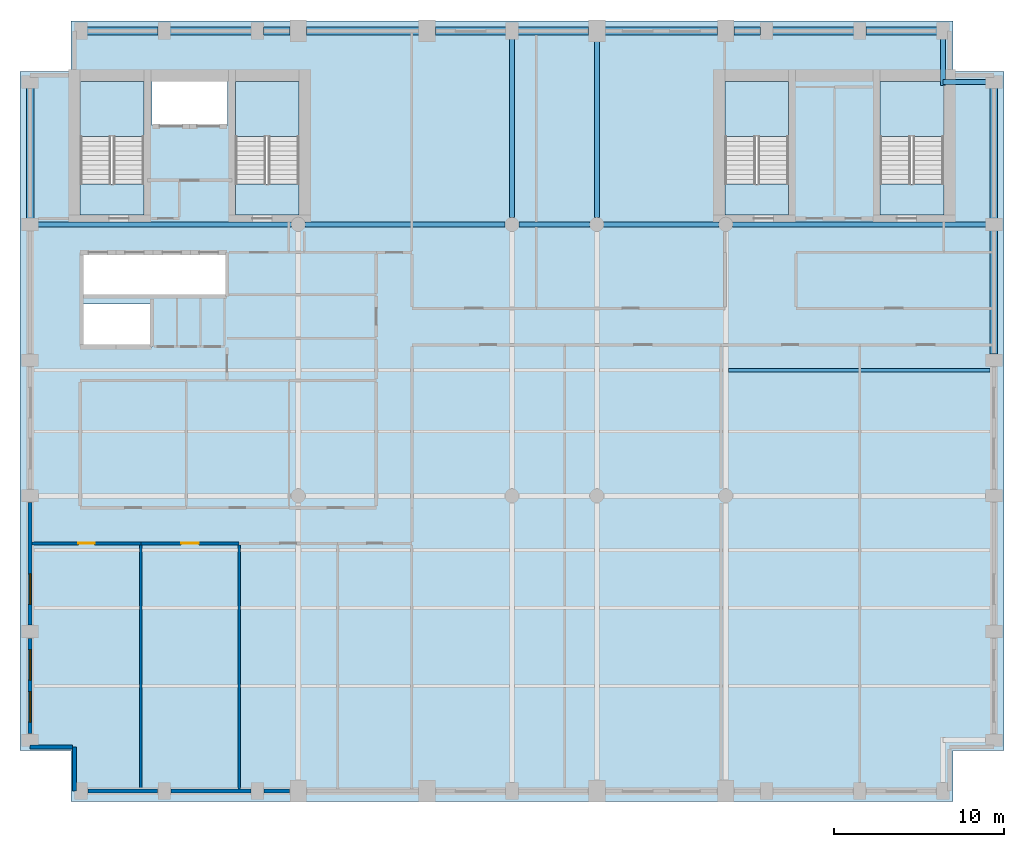
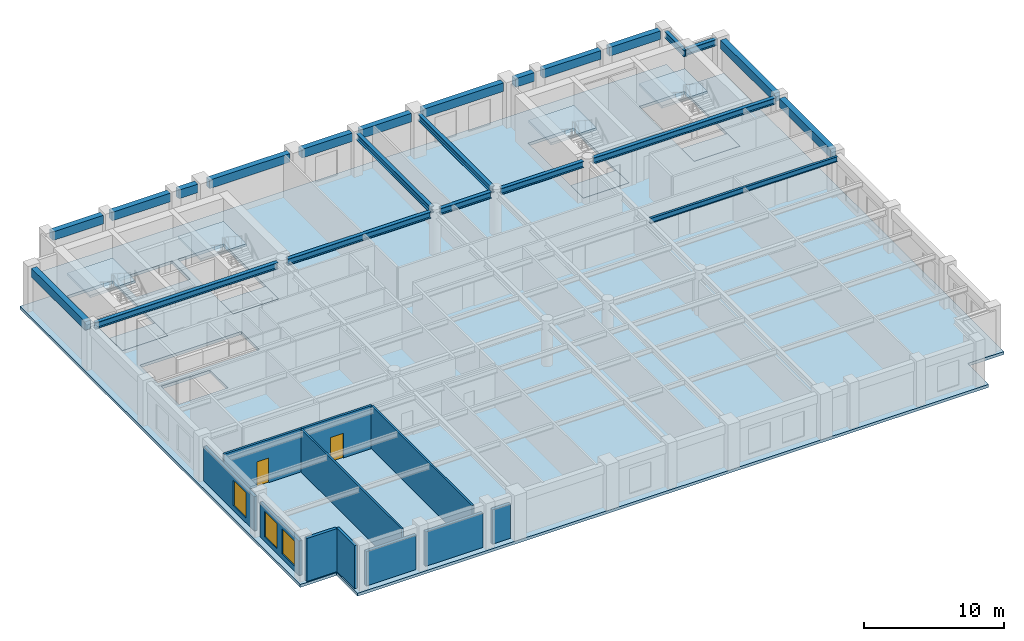
# One storey, part 2 of 8: 23 beams, 11 walls, 9 slabs, 3 windows, 2 doors, 5 openings, 4 elements without a shape of their own.
"""IFC4 building model written with IfcOpenShell, lengths in metres."""

import ifcopenshell
import ifcopenshell.guid

model = None  # the IFC model being written
_history = None  # IfcOwnerHistory: only IFC2X3 demands one
_inside = {}  # id of a spatial element -> (the spatial element, [elements in it])
_under = {}  # id of a project, library or spatial element -> (it, [spatial elements below it])
_declared = {}  # id of a project -> (the project, [libraries it declares])
_typed = {}  # id of a type object -> (the type object, [elements of that type])
_made_of = {}  # id of a material, layer set ... -> (it, [elements and type objects made of it])


def new_model(schema):
    """Start an empty IFC model of exactly this schema.

    Asked for "IFC4X3", IfcOpenShell would pick the latest addendum, in which some entities
    have other attributes; the version numbers below select the first issue.
    IFC2X3 requires an IfcOwnerHistory on every rooted entity: one is made here for all.
    """
    global model, _history
    if schema == "IFC4X3":
        model = ifcopenshell.file(schema_version=(4, 3, 0, 0))
    else:
        model = ifcopenshell.file(schema=schema)
    _inside.clear()
    _under.clear()
    _declared.clear()
    _typed.clear()
    _made_of.clear()
    _history = None
    if model.schema == "IFC2X3":
        org = make("IfcOrganization", Name="unknown")
        user = make(
            "IfcPersonAndOrganization",
            ThePerson=make("IfcPerson", FamilyName="unknown"),
            TheOrganization=org,
        )
        app = make(
            "IfcApplication",
            ApplicationDeveloper=org,
            Version="unknown",
            ApplicationFullName="unknown",
            ApplicationIdentifier="unknown",
        )
        _history = make(
            "IfcOwnerHistory",
            OwningUser=user,
            OwningApplication=app,
            ChangeAction="ADDED",
            CreationDate=0,
        )
    return model


def make(cls, **values):
    """One entity of the class cls with the attributes given. An attribute that is None is left unset."""
    return model.create_entity(
        cls, **{name: value for name, value in values.items() if value is not None}
    )


def rooted(cls, **values):
    """An entity with a GlobalId (a new one), such as an element, a storey or a relation."""
    return make(cls, GlobalId=ifcopenshell.guid.new(), OwnerHistory=_history, **values)


def si_unit(unit_type, name, prefix=None):
    """IfcSIUnit, for example si_unit("LENGTHUNIT", "METRE", prefix="MILLI")."""
    return make("IfcSIUnit", UnitType=unit_type, Prefix=prefix, Name=name)


def assignment(units):
    """IfcUnitAssignment: the units of a project."""
    return None if units is None else make("IfcUnitAssignment", Units=units)


def point(xyz):
    """IfcCartesianPoint."""
    return None if xyz is None else make("IfcCartesianPoint", Coordinates=xyz)


def direction(xyz):
    """IfcDirection."""
    return None if xyz is None else make("IfcDirection", DirectionRatios=xyz)


def frame(location, z_axis=None, x_axis=None):
    """IfcAxis2Placement3D, a coordinate frame: its origin and axes. An axis left out is left unset."""
    return make(
        "IfcAxis2Placement3D",
        Location=point(location),
        Axis=direction(z_axis),
        RefDirection=direction(x_axis),
    )


def frame_2d(location, x_axis=None):
    """IfcAxis2Placement2D, a coordinate frame in the plane: its origin and x axis."""
    return make(
        "IfcAxis2Placement2D", Location=point(location), RefDirection=direction(x_axis)
    )


def origin():
    """The frame at (0, 0, 0) with its axes left unset."""
    return frame((0.0, 0.0, 0.0))


def origin_2d():
    """The frame at (0, 0) in the plane with its x axis left unset."""
    return frame_2d((0.0, 0.0))


def place(relative_to, where):
    """IfcLocalPlacement: puts the frame where relative to a parent placement (None: the world)."""
    return make(
        "IfcLocalPlacement", PlacementRelTo=relative_to, RelativePlacement=where
    )


def context(
    kind, dimensions, precision=None, world=None, true_north=None, identifier=None
):
    """IfcGeometricRepresentationContext, for example the 3D "Model" context."""
    return make(
        "IfcGeometricRepresentationContext",
        ContextIdentifier=identifier,
        ContextType=kind,
        CoordinateSpaceDimension=dimensions,
        Precision=precision,
        WorldCoordinateSystem=world,
        TrueNorth=true_north,
    )


def subcontext(parent, identifier, kind, view, scale=None):
    """IfcGeometricRepresentationSubContext, for example "Body" below "Model"."""
    return make(
        "IfcGeometricRepresentationSubContext",
        ContextIdentifier=identifier,
        ContextType=kind,
        ParentContext=parent,
        TargetScale=scale,
        TargetView=view,
    )


def project(units=None, contexts=None):
    """IfcProject with its units and contexts."""
    return rooted(
        "IfcProject",
        Name="project",
        RepresentationContexts=contexts,
        UnitsInContext=assignment(units),
    )


def spatial(cls, under=None, at=None, **own):
    """A site, building, storey or space (cls), placed at a placement, below another one or the project."""
    s = rooted(cls, ObjectPlacement=at, **own)
    if under is not None:
        _under.setdefault(under.id(), (under, []))[1].append(s)
    return s


def polyline(points):
    """IfcPolyline through the points."""
    return make("IfcPolyline", Points=[point(p) for p in points])


def profile(cls, at=None, kind="AREA", **sizes):
    """A parametric profile (cls). Its sizes go by their IFC names, for example OverallWidth=200.0."""
    return make(cls, ProfileType=kind, Position=at, **sizes)


def rectangle(**sizes):
    """IfcRectangleProfileDef."""
    return profile("IfcRectangleProfileDef", **sizes)


def i_section(**sizes):
    """IfcIShapeProfileDef."""
    return profile("IfcIShapeProfileDef", **sizes)


def outline(outer, holes=None, kind="AREA"):
    """IfcArbitraryClosedProfileDef: a profile drawn as a closed curve; with holes, ...WithVoids."""
    if holes is None:
        return make("IfcArbitraryClosedProfileDef", ProfileType=kind, OuterCurve=outer)
    return make(
        "IfcArbitraryProfileDefWithVoids",
        ProfileType=kind,
        OuterCurve=outer,
        InnerCurves=holes,
    )


def extrude(swept, where, along, depth):
    """IfcExtrudedAreaSolid: the profile swept, set in the frame where, extruded along a direction by depth."""
    return make(
        "IfcExtrudedAreaSolid",
        SweptArea=swept,
        Position=where,
        ExtrudedDirection=direction(along),
        Depth=depth,
    )


def shape(context_of_items, identifier, shape_type, items):
    """IfcShapeRepresentation: the items that make up one representation, for example the "Body"."""
    return make(
        "IfcShapeRepresentation",
        ContextOfItems=context_of_items,
        RepresentationIdentifier=identifier,
        RepresentationType=shape_type,
        Items=items,
    )


def material(Name=None, Category=None):
    """IfcMaterial."""
    return make("IfcMaterial", Name=Name, Category=Category)


def layer(
    of_material, thickness, ventilated=None, Name=None, Category=None, Priority=None
):
    """IfcMaterialLayer: one layer of a wall or slab, of a material (None: an air gap)."""
    return make(
        "IfcMaterialLayer",
        Material=of_material,
        LayerThickness=thickness,
        IsVentilated=ventilated,
        Name=Name,
        Category=Category,
        Priority=Priority,
    )


def layer_set(layers, Name=None):
    """IfcMaterialLayerSet."""
    return make("IfcMaterialLayerSet", MaterialLayers=layers, LayerSetName=Name)


def material_profile(
    of_material, cross_section, Name=None, Category=None, Priority=None
):
    """IfcMaterialProfile: a cross section and its material."""
    return make(
        "IfcMaterialProfile",
        Name=Name,
        Material=of_material,
        Profile=cross_section,
        Priority=Priority,
        Category=Category,
    )


def profile_set(profiles, Name=None, composite=None):
    """IfcMaterialProfileSet."""
    return make(
        "IfcMaterialProfileSet",
        Name=Name,
        MaterialProfiles=profiles,
        CompositeProfile=composite,
    )


def made_of(thing, what):
    """Note that an element or type object is made of a material, layer set ...; save() writes the relation."""
    if what is not None:
        _made_of.setdefault(what.id(), (what, []))[1].append(thing)
    return thing


def type_object(cls, material=None, **own):
    """A type object (cls), such as IfcWallType, which elements share."""
    return made_of(rooted(cls, **own), material)


def element(
    cls,
    number,
    at=None,
    inside=None,
    cuts=None,
    type_object=None,
    material=None,
    context=None,
    identifier="Body",
    shape_type=None,
    held_by="IfcProductDefinitionShape",
    body=None,
    shapes=None,
    **own,
):
    """One element of the class cls, such as IfcWall. Its Tag is "e" and its number.

    at: its placement. inside: the storey or other place that contains it. cuts: it is an
    opening in that element (IfcRelVoidsElement). A single representation is given by context,
    identifier, shape_type and body (its items); several are given by shapes. held_by: the class
    of the entity that holds the representations. save() writes the other relations.
    """
    e = rooted(cls, Tag="e%d" % number, ObjectPlacement=at, **own)
    if body is not None:
        shapes = [shape(context, identifier, shape_type, body)]
    if shapes is not None:
        e.Representation = make(held_by, Representations=shapes)
    if inside is not None:
        _inside.setdefault(inside.id(), (inside, []))[1].append(e)
    if cuts is not None:
        rooted(
            "IfcRelVoidsElement", RelatingBuildingElement=cuts, RelatedOpeningElement=e
        )
    if type_object is not None:
        _typed.setdefault(type_object.id(), (type_object, []))[1].append(e)
    return made_of(e, material)


def fill(opening, filler):
    """IfcRelFillsElement: the door or window that sits in an opening."""
    return rooted(
        "IfcRelFillsElement",
        RelatingOpeningElement=opening,
        RelatedBuildingElement=filler,
    )


def aggregate(whole, parts):
    """IfcRelAggregates: a whole, such as a stair, and the parts it consists of."""
    return rooted("IfcRelAggregates", RelatingObject=whole, RelatedObjects=parts)


def save(model, path):
    """Write the relations noted so far, then the file.

    IfcRelAggregates (storeys below a building ...), IfcRelContainedInSpatialStructure (elements
    in a storey), IfcRelDefinesByType, IfcRelAssociatesMaterial and IfcRelDeclares: one each for
    every whole, place, type object, material and project.
    """
    for whole, parts in _under.values():
        aggregate(whole, parts)
    for where, things in _inside.values():
        rooted(
            "IfcRelContainedInSpatialStructure",
            RelatedElements=things,
            RelatingStructure=where,
        )
    for kind, things in _typed.values():
        rooted("IfcRelDefinesByType", RelatedObjects=things, RelatingType=kind)
    for what, things in _made_of.values():
        rooted("IfcRelAssociatesMaterial", RelatedObjects=things, RelatingMaterial=what)
    for by, libraries in _declared.values():
        rooted("IfcRelDeclares", RelatingContext=by, RelatedDefinitions=libraries)
    model.write(path)


model = new_model("IFC4")

# Units and contexts
model_context = context("Model", 3, precision=1e-05, world=origin(), true_north=direction((0.0, 1.0)))
body_context = subcontext(model_context, "Body", "Model", "MODEL_VIEW")
ifc_project = project(units=[si_unit("LENGTHUNIT", "METRE"), si_unit("AREAUNIT", "SQUARE_METRE"), si_unit("VOLUMEUNIT", "CUBIC_METRE"), si_unit("PLANEANGLEUNIT", "RADIAN"), si_unit("MASSUNIT", "GRAM", prefix="KILO")], contexts=[model_context])

# Site, building, storey
site_placement = place(None, origin())
site = spatial("IfcSite", under=ifc_project, at=site_placement, CompositionType="ELEMENT")
building_placement = place(site_placement, origin())
building = spatial("IfcBuilding", under=site, at=building_placement, Name="Sulina Concourse Tower", CompositionType="ELEMENT")
storey_placement = place(building_placement, frame((0.0, 0.0, 256.60009765625)))
storey = spatial("IfcBuildingStorey", under=building, at=storey_placement, Name="L62", CompositionType="ELEMENT", Elevation=256.60009765625)

# Beams
ifc_material_1 = material(Name="Steel S355", Category="steel")
ifc_material_profile_1 = material_profile(ifc_material_1, i_section(OverallWidth=0.18994140625, OverallDepth=0.449951171875, WebThickness=0.009521484375, FlangeThickness=0.0146484375, at=origin_2d()), Name="IPE 450")
ifc_profile_set_1 = profile_set([ifc_material_profile_1], Name="Steel S355")
beam_type_1 = type_object("IfcBeamType", Name="Composite Floor Joist IPE450", PredefinedType="JOIST", material=ifc_profile_set_1)
beam_1_placement = place(storey_placement, frame((41.75, 25.39990234375, 3.52490234375), z_axis=(1.0, 0.0, 0.0), x_axis=(0.0, 1.0, 0.0)))
element("IfcBeam", 1, at=beam_1_placement, inside=storey, type_object=beam_type_1, Name="FJ-J25-5-L62", PredefinedType="JOIST", context=body_context, shape_type="SweptSolid", body=[
    extrude(i_section(OverallWidth=0.18994140625, OverallDepth=0.449951171875, WebThickness=0.009521484375, FlangeThickness=0.0146484375, at=origin_2d()), origin(), (0.0, 0.0, 1.0), 15.425048828125),
])
ifc_material_2 = material(Name="Steel S355", Category="steel")
ifc_material_profile_2 = material_profile(ifc_material_2, i_section(OverallWidth=0.300048828125, OverallDepth=0.550048828125, WebThickness=0.014892578125, FlangeThickness=0.029052734375, at=origin_2d()), Name="HE 550 B")
ifc_profile_set_2 = profile_set([ifc_material_profile_2], Name="Steel S355")
beam_type_2 = type_object("IfcBeamType", Name="Floor Primary Girder Zone 4 HE550B", PredefinedType="BEAM", material=ifc_profile_set_2)
beam_2_placement = place(storey_placement, frame((54.39990234375, 42.39990234375, 3.474853515625), z_axis=(1.0, 0.0, 0.0), x_axis=(0.0, 1.0, 0.0)))
element("IfcBeam", 2, at=beam_2_placement, inside=storey, type_object=beam_type_2, Name="TIE-NE-L62", PredefinedType="BEAM", context=body_context, shape_type="SweptSolid", body=[
    extrude(i_section(OverallWidth=0.300048828125, OverallDepth=0.550048828125, WebThickness=0.014892578125, FlangeThickness=0.029052734375, at=origin_2d()), origin(), (0.0, 0.0, 1.0), 2.64501953125),
])
beam_3_placement = place(storey_placement, frame((54.39990234375, 42.199951171875, 3.474853515625), z_axis=(0.0, 1.0, 0.0), x_axis=(-1.0, 0.0, 0.0)))
element("IfcBeam", 3, at=beam_3_placement, inside=storey, type_object=beam_type_2, Name="TIE-NEN-L62", PredefinedType="BEAM", context=body_context, shape_type="SweptSolid", body=[
    extrude(i_section(OverallWidth=0.300048828125, OverallDepth=0.550048828125, WebThickness=0.014892578125, FlangeThickness=0.029052734375, at=origin_2d()), origin(), (0.0, 0.0, 1.0), 2.844970703125),
])
beam_4_placement = place(storey_placement, frame((0.955078125, 34.0, 3.474853515625), z_axis=(1.0, 0.0, 0.0), x_axis=(0.0, 1.0, 0.0)))
element("IfcBeam", 4, at=beam_4_placement, inside=storey, type_object=beam_type_2, Name="FG-EWN1-L62", PredefinedType="BEAM", context=body_context, shape_type="SweptSolid", body=[
    extrude(i_section(OverallWidth=0.300048828125, OverallDepth=0.550048828125, WebThickness=0.014892578125, FlangeThickness=0.029052734375, at=origin_2d()), origin(), (0.0, 0.0, 1.0), 15.0400390625),
])
beam_5_placement = place(storey_placement, frame((16.804931640625, 34.0, 3.474853515625), z_axis=(1.0, 0.0, 0.0), x_axis=(0.0, 1.0, 0.0)))
element("IfcBeam", 5, at=beam_5_placement, inside=storey, type_object=beam_type_2, Name="FG-EWN2-L62", PredefinedType="BEAM", context=body_context, shape_type="SweptSolid", body=[
    extrude(i_section(OverallWidth=0.300048828125, OverallDepth=0.550048828125, WebThickness=0.014892578125, FlangeThickness=0.029052734375, at=origin_2d()), origin(), (0.0, 0.0, 1.0), 11.7900390625),
])
beam_6_placement = place(storey_placement, frame((29.405029296875, 34.0, 3.474853515625), z_axis=(1.0, 0.0, 0.0), x_axis=(0.0, 1.0, 0.0)))
element("IfcBeam", 6, at=beam_6_placement, inside=storey, type_object=beam_type_2, Name="FG-EWN3-L62", PredefinedType="BEAM", context=body_context, shape_type="SweptSolid", body=[
    extrude(i_section(OverallWidth=0.300048828125, OverallDepth=0.550048828125, WebThickness=0.014892578125, FlangeThickness=0.029052734375, at=origin_2d()), origin(), (0.0, 0.0, 1.0), 4.18994140625),
])
beam_7_placement = place(storey_placement, frame((34.405029296875, 34.0, 3.474853515625), z_axis=(1.0, 0.0, 0.0), x_axis=(0.0, 1.0, 0.0)))
element("IfcBeam", 7, at=beam_7_placement, inside=storey, type_object=beam_type_2, Name="FG-EWN4-L62", PredefinedType="BEAM", context=body_context, shape_type="SweptSolid", body=[
    extrude(i_section(OverallWidth=0.300048828125, OverallDepth=0.550048828125, WebThickness=0.014892578125, FlangeThickness=0.029052734375, at=origin_2d()), origin(), (0.0, 0.0, 1.0), 6.7900390625),
])
beam_8_placement = place(storey_placement, frame((42.0048828125, 34.0, 3.474853515625), z_axis=(1.0, 0.0, 0.0), x_axis=(0.0, 1.0, 0.0)))
element("IfcBeam", 8, at=beam_8_placement, inside=storey, type_object=beam_type_2, Name="FG-EWN5-L62", PredefinedType="BEAM", context=body_context, shape_type="SweptSolid", body=[
    extrude(i_section(OverallWidth=0.300048828125, OverallDepth=0.550048828125, WebThickness=0.014892578125, FlangeThickness=0.029052734375, at=origin_2d()), origin(), (0.0, 0.0, 1.0), 15.0400390625),
])
beam_9_placement = place(storey_placement, frame((29.0, 34.405029296875, 3.474853515625), z_axis=(0.0, 1.0, 0.0), x_axis=(-1.0, 0.0, 0.0)))
element("IfcBeam", 9, at=beam_9_placement, inside=storey, type_object=beam_type_2, Name="FG-NSC-29-L62", PredefinedType="BEAM", context=body_context, shape_type="SweptSolid", body=[
    extrude(i_section(OverallWidth=0.300048828125, OverallDepth=0.550048828125, WebThickness=0.014892578125, FlangeThickness=0.029052734375, at=origin_2d()), origin(), (0.0, 0.0, 1.0), 10.639892578125),
])
beam_10_placement = place(storey_placement, frame((34.0, 34.405029296875, 3.474853515625), z_axis=(0.0, 1.0, 0.0), x_axis=(-1.0, 0.0, 0.0)))
element("IfcBeam", 10, at=beam_10_placement, inside=storey, type_object=beam_type_2, Name="FG-NSC-34-L62", PredefinedType="BEAM", context=body_context, shape_type="SweptSolid", body=[
    extrude(i_section(OverallWidth=0.300048828125, OverallDepth=0.550048828125, WebThickness=0.014892578125, FlangeThickness=0.029052734375, at=origin_2d()), origin(), (0.0, 0.0, 1.0), 10.514892578125),
])
ifc_material_3 = material(Name="Precast concrete C50/60", Category="concrete")
ifc_material_profile_3 = material_profile(ifc_material_3, rectangle(XDim=0.449951171875, YDim=0.75, at=origin_2d()), Name="RC 450x750")
ifc_profile_set_3 = profile_set([ifc_material_profile_3], Name="Precast concrete C50/60")
beam_type_3 = type_object("IfcBeamType", Name="Upper Precast Spandrel Edge Beam 450x750", PredefinedType="BEAM", material=ifc_profile_set_3)
beam_11_placement = place(storey_placement, frame((3.955078125, 45.39990234375, 3.375), z_axis=(1.0, 0.0, 0.0), x_axis=(0.0, 1.0, 0.0)))
element("IfcBeam", 11, at=beam_11_placement, inside=storey, type_object=beam_type_3, Name="SP-N1-L62", PredefinedType="BEAM", context=body_context, shape_type="SweptSolid", body=[
    extrude(rectangle(XDim=0.449951171875, YDim=0.75, at=origin_2d()), origin(), (0.0, 0.0, 1.0), 4.18994140625),
])
beam_12_placement = place(storey_placement, frame((8.85498046875, 45.39990234375, 3.375), z_axis=(1.0, 0.0, 0.0), x_axis=(0.0, 1.0, 0.0)))
element("IfcBeam", 12, at=beam_12_placement, inside=storey, type_object=beam_type_3, Name="SP-N2-L62", PredefinedType="BEAM", context=body_context, shape_type="SweptSolid", body=[
    extrude(rectangle(XDim=0.449951171875, YDim=0.75, at=origin_2d()), origin(), (0.0, 0.0, 1.0), 4.7900390625),
])
beam_13_placement = place(storey_placement, frame((14.35498046875, 45.39990234375, 3.375), z_axis=(1.0, 0.0, 0.0), x_axis=(0.0, 1.0, 0.0)))
element("IfcBeam", 13, at=beam_13_placement, inside=storey, type_object=beam_type_3, Name="SP-N3-L62", PredefinedType="BEAM", context=body_context, shape_type="SweptSolid", body=[
    extrude(rectangle(XDim=0.449951171875, YDim=0.75, at=origin_2d()), origin(), (0.0, 0.0, 1.0), 1.56494140625),
])
beam_14_placement = place(storey_placement, frame((16.8798828125, 45.39990234375, 3.375), z_axis=(1.0, 0.0, 0.0), x_axis=(0.0, 1.0, 0.0)))
element("IfcBeam", 14, at=beam_14_placement, inside=storey, type_object=beam_type_3, Name="SP-N4-L62", PredefinedType="BEAM", context=body_context, shape_type="SweptSolid", body=[
    extrude(rectangle(XDim=0.449951171875, YDim=0.75, at=origin_2d()), origin(), (0.0, 0.0, 1.0), 6.64013671875),
])
for number, where, z_axis, x_axis, name in (
    (15, (24.47998046875, 45.39990234375, 3.375), (1.0, 0.0, 0.0), (0.0, 1.0, 0.0), "SP-N5-L62"),
    (16, (29.35498046875, 45.39990234375, 3.375), (1.0, 0.0, 0.0), (0.0, 1.0, 0.0), "SP-N6-L62"),
):
    element("IfcBeam", number, at=place(storey_placement, frame(where, z_axis=z_axis, x_axis=x_axis)), inside=storey, type_object=beam_type_3, Name=name, PredefinedType="BEAM", context=body_context, shape_type="SweptSolid", body=[
        extrude(rectangle(XDim=0.449951171875, YDim=0.75, at=origin_2d()), origin(), (0.0, 0.0, 1.0), 4.1650390625),
    ])
beam_15_placement = place(storey_placement, frame((34.47998046875, 45.39990234375, 3.375), z_axis=(1.0, 0.0, 0.0), x_axis=(0.0, 1.0, 0.0)))
element("IfcBeam", 17, at=beam_15_placement, inside=storey, type_object=beam_type_3, Name="SP-N7-L62", PredefinedType="BEAM", context=body_context, shape_type="SweptSolid", body=[
    extrude(rectangle(XDim=0.449951171875, YDim=0.75, at=origin_2d()), origin(), (0.0, 0.0, 1.0), 6.64013671875),
])
beam_16_placement = place(storey_placement, frame((42.080078125, 45.39990234375, 3.375), z_axis=(1.0, 0.0, 0.0), x_axis=(0.0, 1.0, 0.0)))
element("IfcBeam", 18, at=beam_16_placement, inside=storey, type_object=beam_type_3, Name="SP-N8-L62", PredefinedType="BEAM", context=body_context, shape_type="SweptSolid", body=[
    extrude(rectangle(XDim=0.449951171875, YDim=0.75, at=origin_2d()), origin(), (0.0, 0.0, 1.0), 1.56494140625),
])
beam_17_placement = place(storey_placement, frame((44.35498046875, 45.39990234375, 3.375), z_axis=(1.0, 0.0, 0.0), x_axis=(0.0, 1.0, 0.0)))
element("IfcBeam", 19, at=beam_17_placement, inside=storey, type_object=beam_type_3, Name="SP-N9-L62", PredefinedType="BEAM", context=body_context, shape_type="SweptSolid", body=[
    extrude(rectangle(XDim=0.449951171875, YDim=0.75, at=origin_2d()), origin(), (0.0, 0.0, 1.0), 4.7900390625),
])
beam_18_placement = place(storey_placement, frame((49.85498046875, 45.39990234375, 3.375), z_axis=(1.0, 0.0, 0.0), x_axis=(0.0, 1.0, 0.0)))
element("IfcBeam", 20, at=beam_18_placement, inside=storey, type_object=beam_type_3, Name="SP-N10-L62", PredefinedType="BEAM", context=body_context, shape_type="SweptSolid", body=[
    extrude(rectangle(XDim=0.449951171875, YDim=0.75, at=origin_2d()), origin(), (0.0, 0.0, 1.0), 4.18994140625),
])
beam_19_placement = place(storey_placement, frame((0.60009765625, 34.35498046875, 3.375), z_axis=(0.0, 1.0, 0.0), x_axis=(-1.0, 0.0, 0.0)))
element("IfcBeam", 21, at=beam_19_placement, inside=storey, type_object=beam_type_3, Name="SP-W5-L62", PredefinedType="BEAM", context=body_context, shape_type="SweptSolid", body=[
    extrude(rectangle(XDim=0.449951171875, YDim=0.75, at=origin_2d()), origin(), (0.0, 0.0, 1.0), 7.68994140625),
])
beam_20_placement = place(storey_placement, frame((57.39990234375, 26.35498046875, 3.375), z_axis=(0.0, 1.0, 0.0), x_axis=(-1.0, 0.0, 0.0)))
element("IfcBeam", 22, at=beam_20_placement, inside=storey, type_object=beam_type_3, Name="SP-E4-L62", PredefinedType="BEAM", context=body_context, shape_type="SweptSolid", body=[
    extrude(rectangle(XDim=0.449951171875, YDim=0.75, at=origin_2d()), origin(), (0.0, 0.0, 1.0), 7.2900390625),
])
beam_21_placement = place(storey_placement, frame((57.39990234375, 34.35498046875, 3.375), z_axis=(0.0, 1.0, 0.0), x_axis=(-1.0, 0.0, 0.0)))
element("IfcBeam", 23, at=beam_21_placement, inside=storey, type_object=beam_type_3, Name="SP-E5-L62", PredefinedType="BEAM", context=body_context, shape_type="SweptSolid", body=[
    extrude(rectangle(XDim=0.449951171875, YDim=0.75, at=origin_2d()), origin(), (0.0, 0.0, 1.0), 7.68994140625),
])

# Slabs
ifc_material_4 = material(Name="Concrete C50/60", Category="concrete")
ifc_layer_1 = layer(ifc_material_4, 0.25)
ifc_layer_set_1 = layer_set([ifc_layer_1], Name="Concrete C50/60")
slab_type_1 = type_object("IfcSlabType", Name="High-Rise Composite Floor Slab 250mm", PredefinedType="FLOOR", material=ifc_layer_set_1)
slab_1_placement = place(storey_placement, frame((0.0, 0.0, -0.25)))
element("IfcSlab", 24, at=slab_1_placement, inside=storey, type_object=slab_type_1, Name="L62 structural floor slab", PredefinedType="FLOOR", context=body_context, shape_type="SweptSolid", body=[
    extrude(outline(polyline([(3.0, 0.0), (55.0, 0.0), (55.0, 3.0), (58.0, 3.0), (58.0, 43.0), (55.0, 43.0), (55.0, 46.0), (3.0, 46.0), (3.0, 43.0), (0.0, 43.0), (0.0, 3.0), (3.0, 3.0), (3.0, 0.0)]), holes=[polyline([(7.31005859375, 34.550048828125), (7.31005859375, 42.429931640625), (3.550048828125, 42.429931640625), (3.550048828125, 34.550048828125), (7.31005859375, 34.550048828125)]), polyline([(16.449951171875, 34.550048828125), (16.449951171875, 42.429931640625), (12.68994140625, 42.429931640625), (12.68994140625, 34.550048828125), (16.449951171875, 34.550048828125)]), polyline([(45.31005859375, 34.550048828125), (45.31005859375, 42.429931640625), (41.550048828125, 42.429931640625), (41.550048828125, 34.550048828125), (45.31005859375, 34.550048828125)]), polyline([(54.449951171875, 34.550048828125), (54.449951171875, 42.429931640625), (50.68994140625, 42.429931640625), (50.68994140625, 34.550048828125), (54.449951171875, 34.550048828125)]), polyline([(7.780029296875, 39.830078125), (12.219970703125, 39.830078125), (12.219970703125, 42.449951171875), (7.780029296875, 42.449951171875), (7.780029296875, 39.830078125)]), polyline([(3.739990234375, 26.780029296875), (7.77001953125, 26.780029296875), (7.77001953125, 29.320068359375), (3.739990234375, 29.320068359375), (3.739990234375, 26.780029296875)]), polyline([(3.739990234375, 29.780029296875), (12.10009765625, 29.780029296875), (12.10009765625, 32.3701171875), (3.739990234375, 32.3701171875), (3.739990234375, 29.780029296875)])]), origin(), (0.0, 0.0, 1.0), 0.25),
])
ifc_material_5 = material(Name="Concrete C50/60", Category="concrete")
ifc_layer_2 = layer(ifc_material_5, 0.199951171875)
ifc_layer_set_2 = layer_set([ifc_layer_2], Name="Concrete C50/60")
slab_type_2 = type_object("IfcSlabType", Name="Primary Core Stair Landing Slab 200mm", PredefinedType="LANDING", material=ifc_layer_set_2)
slab_2_placement = place(storey_placement, frame((0.0, 0.0, -0.2001953125)))
element("IfcSlab", 25, at=slab_2_placement, inside=storey, type_object=slab_type_2, Name="L62 ST-1 floor landing slab", PredefinedType="LANDING", context=body_context, shape_type="SweptSolid", body=[
    extrude(outline(polyline([(7.31005859375, 34.550048828125), (7.31005859375, 36.375), (3.550048828125, 36.375), (3.550048828125, 34.550048828125), (7.31005859375, 34.550048828125)])), origin(), (0.0, 0.0, 1.0), 0.2001953125),
])
slab_3_placement = place(storey_placement, frame((0.0, 0.0, -0.2001953125)))
element("IfcSlab", 26, at=slab_3_placement, inside=storey, type_object=slab_type_2, Name="L62 ST-2 floor landing slab", PredefinedType="LANDING", context=body_context, shape_type="SweptSolid", body=[
    extrude(outline(polyline([(16.449951171875, 34.550048828125), (16.449951171875, 36.375), (12.68994140625, 36.375), (12.68994140625, 34.550048828125), (16.449951171875, 34.550048828125)])), origin(), (0.0, 0.0, 1.0), 0.2001953125),
])
slab_4_placement = place(storey_placement, frame((0.0, 0.0, -0.2001953125)))
element("IfcSlab", 27, at=slab_4_placement, inside=storey, type_object=slab_type_2, Name="L62 ST-3 floor landing slab", PredefinedType="LANDING", context=body_context, shape_type="SweptSolid", body=[
    extrude(outline(polyline([(45.31005859375, 34.550048828125), (45.31005859375, 36.375), (41.550048828125, 36.375), (41.550048828125, 34.550048828125), (45.31005859375, 34.550048828125)])), origin(), (0.0, 0.0, 1.0), 0.2001953125),
])
slab_5_placement = place(storey_placement, frame((0.0, 0.0, -0.2001953125)))
element("IfcSlab", 28, at=slab_5_placement, inside=storey, type_object=slab_type_2, Name="L62 ST-4 floor landing slab", PredefinedType="LANDING", context=body_context, shape_type="SweptSolid", body=[
    extrude(outline(polyline([(54.449951171875, 34.550048828125), (54.449951171875, 36.375), (50.68994140625, 36.375), (50.68994140625, 34.550048828125), (54.449951171875, 34.550048828125)])), origin(), (0.0, 0.0, 1.0), 0.2001953125),
])

# Stair, slab
ifc_material_6 = material(Name="Concrete C50/60", Category="concrete")
stair_type_1 = type_object("IfcStairType", Name="Primary Core Dog-Leg Exit Stair 1800mm", PredefinedType="HALF_TURN_STAIR", material=ifc_material_6)
stair_1_placement = place(storey_placement, origin())
stair_1 = element("IfcStair", 29, at=stair_1_placement, inside=storey, type_object=stair_type_1, Name="L62 ST-1", PredefinedType="HALF_TURN_STAIR")
slab_6_placement = place(storey_placement, frame((0.0, 0.0, 1.7998046875)))
slab_6 = element("IfcSlab", 30, at=slab_6_placement, type_object=slab_type_2, Name="ST-1 landing 1", PredefinedType="LANDING", context=body_context, shape_type="SweptSolid", body=[
    extrude(outline(polyline([(7.304931640625, 39.175048828125), (7.304931640625, 42.425048828125), (3.554931640625, 42.425048828125), (3.554931640625, 39.175048828125), (7.304931640625, 39.175048828125)])), origin(), (0.0, 0.0, 1.0), 0.2001953125),
])
aggregate(stair_1, [slab_6])

stair_2_placement = place(storey_placement, origin())
stair_2 = element("IfcStair", 31, at=stair_2_placement, inside=storey, type_object=stair_type_1, Name="L62 ST-2", PredefinedType="HALF_TURN_STAIR")
slab_7_placement = place(storey_placement, frame((0.0, 0.0, 1.7998046875)))
slab_7 = element("IfcSlab", 32, at=slab_7_placement, type_object=slab_type_2, Name="ST-2 landing 1", PredefinedType="LANDING", context=body_context, shape_type="SweptSolid", body=[
    extrude(outline(polyline([(16.445068359375, 39.175048828125), (16.445068359375, 42.425048828125), (12.695068359375, 42.425048828125), (12.695068359375, 39.175048828125), (16.445068359375, 39.175048828125)])), origin(), (0.0, 0.0, 1.0), 0.2001953125),
])
aggregate(stair_2, [slab_7])

ifc_material_7 = material(Name="Concrete C50/60", Category="concrete")
stair_type_2 = type_object("IfcStairType", Name="Portal & Podium Core Exit Stair 1820mm", PredefinedType="HALF_TURN_STAIR", material=ifc_material_7)
stair_3_placement = place(storey_placement, origin())
stair_3 = element("IfcStair", 33, at=stair_3_placement, inside=storey, type_object=stair_type_2, Name="L62 ST-3", PredefinedType="HALF_TURN_STAIR")
slab_8_placement = place(storey_placement, frame((0.0, 0.0, 1.7998046875)))
slab_8 = element("IfcSlab", 34, at=slab_8_placement, type_object=slab_type_2, Name="ST-3 landing 1", PredefinedType="LANDING", context=body_context, shape_type="SweptSolid", body=[
    extrude(outline(polyline([(45.304931640625, 39.175048828125), (45.304931640625, 42.425048828125), (41.554931640625, 42.425048828125), (41.554931640625, 39.175048828125), (45.304931640625, 39.175048828125)])), origin(), (0.0, 0.0, 1.0), 0.2001953125),
])
aggregate(stair_3, [slab_8])

stair_4_placement = place(storey_placement, origin())
stair_4 = element("IfcStair", 35, at=stair_4_placement, inside=storey, type_object=stair_type_2, Name="L62 ST-4", PredefinedType="HALF_TURN_STAIR")
slab_9_placement = place(storey_placement, frame((0.0, 0.0, 1.7998046875)))
slab_9 = element("IfcSlab", 36, at=slab_9_placement, type_object=slab_type_2, Name="ST-4 landing 1", PredefinedType="LANDING", context=body_context, shape_type="SweptSolid", body=[
    extrude(outline(polyline([(54.445068359375, 39.175048828125), (54.445068359375, 42.425048828125), (50.695068359375, 42.425048828125), (50.695068359375, 39.175048828125), (54.445068359375, 39.175048828125)])), origin(), (0.0, 0.0, 1.0), 0.2001953125),
])
aggregate(stair_4, [slab_9])

# Walls
ifc_material_8 = material(Name="Precast concrete C50/60", Category="concrete")
ifc_layer_3 = layer(ifc_material_8, 0.239990234375)
ifc_layer_set_3 = layer_set([ifc_layer_3], Name="Precast concrete C50/60")
wall_type_1 = type_object("IfcWallType", Name="Crown Precast Masonry-Frame Facade Wall 240mm", PredefinedType="SOLIDWALL", material=ifc_layer_set_3)
wall_1_placement = place(storey_placement, frame((8.10498046875, 0.60009765625, 0.0), z_axis=(0.0, 0.0, 1.0), x_axis=(-1.0, 0.0, 0.0)))
element("IfcWall", 37, at=wall_1_placement, inside=storey, type_object=wall_type_1, Name="L62 exterior precast wall S1", PredefinedType="SOLIDWALL", context=body_context, shape_type="SweptSolid", body=[
    extrude(rectangle(XDim=4.10986328125, YDim=0.239990234375, at=frame_2d((2.054931640625, 0.0))), origin(), (0.0, 0.0, 1.0), 3.0),
])
wall_2_placement = place(storey_placement, frame((13.60498046875, 0.60009765625, 0.0), z_axis=(0.0, 0.0, 1.0), x_axis=(-1.0, 0.0, 0.0)))
element("IfcWall", 38, at=wall_2_placement, inside=storey, type_object=wall_type_1, Name="L62 exterior precast wall S2", PredefinedType="SOLIDWALL", context=body_context, shape_type="SweptSolid", body=[
    extrude(rectangle(XDim=4.7099609375, YDim=0.239990234375, at=frame_2d((2.35498046875, 0.0))), origin(), (0.0, 0.0, 1.0), 3.0),
])
wall_3_placement = place(storey_placement, frame((15.8798828125, 0.60009765625, 0.0), z_axis=(0.0, 0.0, 1.0), x_axis=(-1.0, 0.0, 0.0)))
element("IfcWall", 39, at=wall_3_placement, inside=storey, type_object=wall_type_1, Name="L62 exterior precast wall S3", PredefinedType="SOLIDWALL", context=body_context, shape_type="SweptSolid", body=[
    extrude(rectangle(XDim=1.48486328125, YDim=0.239990234375, at=frame_2d((0.742431640625, 0.0))), origin(), (0.0, 0.0, 1.0), 3.0),
])

# Wall, openings, windows
wall_4_placement = place(storey_placement, frame((0.60009765625, 3.9951171875, 0.0), z_axis=(0.0, 0.0, 1.0), x_axis=(0.0, 1.0, 0.0)))
wall_4 = element("IfcWall", 40, at=wall_4_placement, inside=storey, type_object=wall_type_1, Name="L62 exterior precast wall W1", PredefinedType="SOLIDWALL", context=body_context, shape_type="SweptSolid", body=[
    extrude(rectangle(XDim=5.60986328125, YDim=0.239990234375, at=frame_2d((2.804931640625, 0.0))), origin(), (0.0, 0.0, 1.0), 3.0),
])
opening_1_placement = place(wall_4_placement, frame((0.669921875, 0.0, 0.419921875)))
opening_1 = element("IfcOpeningElement", 41, at=opening_1_placement, cuts=wall_4, Name="Opening WN-25", PredefinedType="OPENING", context=body_context, shape_type="SweptSolid", body=[
    extrude(rectangle(XDim=1.800048828125, YDim=2.199951171875, at=frame_2d((0.89990234375, 1.10009765625))), frame((0.0, 0.1298828125, 0.0), z_axis=(0.0, -1.0, 0.0), x_axis=(1.0, 0.0, 0.0)), (0.0, 0.0, 1.0), 0.260009765625),
])
opening_2_placement = place(wall_4_placement, frame((3.139892578125, 0.0, 0.419921875)))
opening_2 = element("IfcOpeningElement", 42, at=opening_2_placement, cuts=wall_4, Name="Opening WN-25", PredefinedType="OPENING", context=body_context, shape_type="SweptSolid", body=[
    extrude(rectangle(XDim=1.800048828125, YDim=2.199951171875, at=frame_2d((0.89990234375, 1.10009765625))), frame((0.0, 0.1298828125, 0.0), z_axis=(0.0, -1.0, 0.0), x_axis=(1.0, 0.0, 0.0)), (0.0, 0.0, 1.0), 0.260009765625),
])
ifc_material_9 = material(Name="Low-E solar double glazing in bronze aluminium", Category="aluminium")
window_type = type_object("IfcWindowType", Name="Punched Masonry-Frame Window 1800x2200", PartitioningType="SINGLE_PANEL", PredefinedType="WINDOW", material=ifc_material_9)
window_1_placement = place(opening_1_placement, origin())
window_1 = element("IfcWindow", 43, at=window_1_placement, inside=storey, type_object=window_type, Name="L62 punched window W1-1", OverallHeight=2.199951171875, OverallWidth=1.800048828125, PartitioningType="SINGLE_PANEL", PredefinedType="WINDOW", context=body_context, shape_type="SweptSolid", body=[
    extrude(rectangle(XDim=1.800048828125, YDim=2.199951171875, at=frame_2d((0.89990234375, 1.10009765625))), frame((0.0, 0.030029296875, 0.0), z_axis=(0.0, -1.0, 0.0), x_axis=(1.0, 0.0, 0.0)), (0.0, 0.0, 1.0), 0.06005859375),
])
fill(opening_1, window_1)
window_2_placement = place(opening_2_placement, origin())
window_2 = element("IfcWindow", 44, at=window_2_placement, inside=storey, type_object=window_type, Name="L62 punched window W1-2", OverallHeight=2.199951171875, OverallWidth=1.800048828125, PartitioningType="SINGLE_PANEL", PredefinedType="WINDOW", context=body_context, shape_type="SweptSolid", body=[
    extrude(rectangle(XDim=1.800048828125, YDim=2.199951171875, at=frame_2d((0.89990234375, 1.10009765625))), frame((0.0, 0.030029296875, 0.0), z_axis=(0.0, -1.0, 0.0), x_axis=(1.0, 0.0, 0.0)), (0.0, 0.0, 1.0), 0.06005859375),
])
fill(opening_2, window_2)

# Wall, opening, window
wall_5_placement = place(storey_placement, frame((0.60009765625, 10.39501953125, 0.0), z_axis=(0.0, 0.0, 1.0), x_axis=(0.0, 1.0, 0.0)))
wall_5 = element("IfcWall", 45, at=wall_5_placement, inside=storey, type_object=wall_type_1, Name="L62 exterior precast wall W2", PredefinedType="SOLIDWALL", context=body_context, shape_type="SweptSolid", body=[
    extrude(rectangle(XDim=7.2099609375, YDim=0.239990234375, at=frame_2d((3.60498046875, 0.0))), origin(), (0.0, 0.0, 1.0), 3.0),
])
opening_3_placement = place(wall_5_placement, frame((1.203369140625, 0.0, 0.419921875)))
opening_3 = element("IfcOpeningElement", 46, at=opening_3_placement, cuts=wall_5, Name="Opening WN-25", PredefinedType="OPENING", context=body_context, shape_type="SweptSolid", body=[
    extrude(rectangle(XDim=1.800048828125, YDim=2.199951171875, at=frame_2d((0.89990234375, 1.10009765625))), frame((0.0, 0.1298828125, 0.0), z_axis=(0.0, -1.0, 0.0), x_axis=(1.0, 0.0, 0.0)), (0.0, 0.0, 1.0), 0.260009765625),
])
window_3_placement = place(opening_3_placement, origin())
window_3 = element("IfcWindow", 47, at=window_3_placement, inside=storey, type_object=window_type, Name="L62 punched window W2-1", OverallHeight=2.199951171875, OverallWidth=1.800048828125, PartitioningType="SINGLE_PANEL", PredefinedType="WINDOW", context=body_context, shape_type="SweptSolid", body=[
    extrude(rectangle(XDim=1.800048828125, YDim=2.199951171875, at=frame_2d((0.89990234375, 1.10009765625))), frame((0.0, 0.030029296875, 0.0), z_axis=(0.0, -1.0, 0.0), x_axis=(1.0, 0.0, 0.0)), (0.0, 0.0, 1.0), 0.06005859375),
])
fill(opening_3, window_3)

# Walls
wall_6_placement = place(storey_placement, frame((3.205078125, 0.60009765625, 0.0), z_axis=(0.0, 0.0, 1.0), x_axis=(0.0, 1.0, 0.0)))
element("IfcWall", 48, at=wall_6_placement, inside=storey, type_object=wall_type_1, Name="L62 exterior precast wall CSW1", PredefinedType="SOLIDWALL", context=body_context, shape_type="SweptSolid", body=[
    extrude(rectangle(XDim=2.60498046875, YDim=0.239990234375, at=frame_2d((1.302490234375, 0.0))), origin(), (0.0, 0.0, 1.0), 3.75),
])
wall_7_placement = place(storey_placement, frame((3.080078125, 3.205078125, 0.0), z_axis=(0.0, 0.0, 1.0), x_axis=(-1.0, 0.0, 0.0)))
element("IfcWall", 49, at=wall_7_placement, inside=storey, type_object=wall_type_1, Name="L62 exterior precast wall CSW2", PredefinedType="SOLIDWALL", context=body_context, shape_type="SweptSolid", body=[
    extrude(rectangle(XDim=2.47998046875, YDim=0.239990234375, at=frame_2d((1.239990234375, 0.0))), origin(), (0.0, 0.0, 1.0), 3.75),
])
ifc_material_10 = material(Name="Gypsum board on steel stud", Category="steel")
ifc_layer_4 = layer(ifc_material_10, 0.14990234375)
ifc_layer_set_4 = layer_set([ifc_layer_4], Name="Gypsum board on steel stud")
wall_type_2 = type_object("IfcWallType", Name="Inter-Tenancy Acoustic Partition 150mm", PredefinedType="PARTITIONING", material=ifc_layer_set_4)
for number, where, z_axis, x_axis, name in (
    (50, (7.1201171875, 0.719970703125, 0.0), (0.0, 0.0, 1.0), (0.0, 1.0, 0.0), "L62 interior partition 035"),
    (51, (12.919921875, 0.719970703125, 0.0), (0.0, 0.0, 1.0), (0.0, 1.0, 0.0), "L62 interior partition 042"),
):
    element("IfcWall", number, at=place(storey_placement, frame(where, z_axis=z_axis, x_axis=x_axis)), inside=storey, type_object=wall_type_2, Name=name, PredefinedType="PARTITIONING", context=body_context, shape_type="SweptSolid", body=[
        extrude(rectangle(XDim=14.39013671875, YDim=0.14990234375, at=frame_2d((7.195068359375, 0.0))), origin(), (0.0, 0.0, 1.0), 3.75),
    ])

# Wall, opening, door
ifc_material_11 = material(Name="Gypsum board on steel stud", Category="steel")
ifc_layer_5 = layer(ifc_material_11, 0.179931640625)
ifc_layer_set_5 = layer_set([ifc_layer_5], Name="Gypsum board on steel stud")
wall_type_3 = type_object("IfcWallType", Name="Protected Corridor & Riser Partition 180mm", PredefinedType="PARTITIONING", material=ifc_layer_set_5)
wall_8_placement = place(storey_placement, frame((0.719970703125, 15.199951171875, 0.0), z_axis=(0.0, 0.0, 1.0), x_axis=(1.0, 0.0, 0.0)))
wall_8 = element("IfcWall", 52, at=wall_8_placement, inside=storey, type_object=wall_type_3, Name="L62 interior partition 001", PredefinedType="PARTITIONING", context=body_context, shape_type="SweptSolid", body=[
    extrude(rectangle(XDim=6.400146484375, YDim=0.179931640625, at=frame_2d((3.2001953125, 0.0))), origin(), (0.0, 0.0, 1.0), 3.75),
])
opening_4_placement = place(wall_8_placement, frame((2.72509765625, 0.0, 0.0)))
opening_4 = element("IfcOpeningElement", 53, at=opening_4_placement, cuts=wall_8, Name="Opening DR-19", PredefinedType="OPENING", context=body_context, shape_type="SweptSolid", body=[
    extrude(rectangle(XDim=0.949951171875, YDim=2.14990234375, at=frame_2d((0.47509765625, 1.074951171875))), frame((0.0, 0.099853515625, 0.0), z_axis=(0.0, -1.0, 0.0), x_axis=(1.0, 0.0, 0.0)), (0.0, 0.0, 1.0), 0.199951171875),
])
ifc_material_12 = material(Name="Oak-veneered acoustic timber leaf", Category="wood")
ifc_layer_6 = layer(ifc_material_12, 0.050048828125)
ifc_layer_set_6 = layer_set([ifc_layer_6], Name="Oak-veneered acoustic timber leaf")
door_type_1 = type_object("IfcDoorType", Name="Cellular Office & Meeting Door 950x2150", OperationType="NOTDEFINED", PredefinedType="DOOR", material=ifc_layer_set_6)
door_1_placement = place(opening_4_placement, origin())
door_1 = element("IfcDoor", 54, at=door_1_placement, inside=storey, type_object=door_type_1, Name="L62 interior door L62-S01", OperationType="SINGLE_SWING_LEFT", OverallHeight=2.14990234375, OverallWidth=0.949951171875, PredefinedType="DOOR", context=body_context, shape_type="SweptSolid", body=[
    extrude(rectangle(XDim=0.949951171875, YDim=2.14990234375, at=frame_2d((0.47509765625, 1.074951171875))), frame((0.0, 0.02490234375, 0.0), z_axis=(0.0, -1.0, 0.0), x_axis=(1.0, 0.0, 0.0)), (0.0, 0.0, 1.0), 0.050048828125),
])
fill(opening_4, door_1)

wall_9_placement = place(storey_placement, frame((7.1201171875, 15.199951171875, 0.0), z_axis=(0.0, 0.0, 1.0), x_axis=(1.0, 0.0, 0.0)))
wall_9 = element("IfcWall", 55, at=wall_9_placement, inside=storey, type_object=wall_type_3, Name="L62 interior partition 002", PredefinedType="PARTITIONING", context=body_context, shape_type="SweptSolid", body=[
    extrude(rectangle(XDim=5.7998046875, YDim=0.179931640625, at=frame_2d((2.89990234375, 0.0))), origin(), (0.0, 0.0, 1.0), 3.75),
])
opening_5_placement = place(wall_9_placement, frame((2.375, 0.0, 0.0)))
opening_5 = element("IfcOpeningElement", 56, at=opening_5_placement, cuts=wall_9, Name="Opening DR-37", PredefinedType="OPENING", context=body_context, shape_type="SweptSolid", body=[
    extrude(rectangle(XDim=1.050048828125, YDim=2.14990234375, at=frame_2d((0.52490234375, 1.074951171875))), frame((0.0, 0.099853515625, 0.0), z_axis=(0.0, -1.0, 0.0), x_axis=(1.0, 0.0, 0.0)), (0.0, 0.0, 1.0), 0.199951171875),
])
ifc_material_13 = material(Name="Oak-veneered fire door leaf")
ifc_layer_7 = layer(ifc_material_13, 0.050048828125)
ifc_layer_set_7 = layer_set([ifc_layer_7], Name="Oak-veneered fire door leaf")
door_type_2 = type_object("IfcDoorType", Name="Tenant Suite Entrance Fire Door 1050x2150", OperationType="NOTDEFINED", PredefinedType="DOOR", material=ifc_layer_set_7)
door_2_placement = place(opening_5_placement, origin())
door_2 = element("IfcDoor", 57, at=door_2_placement, inside=storey, type_object=door_type_2, Name="L62 interior door L62-S02", OperationType="SINGLE_SWING_RIGHT", OverallHeight=2.14990234375, OverallWidth=1.050048828125, PredefinedType="DOOR", context=body_context, shape_type="SweptSolid", body=[
    extrude(rectangle(XDim=1.050048828125, YDim=2.14990234375, at=frame_2d((0.52490234375, 1.074951171875))), frame((0.0, 0.02490234375, 0.0), z_axis=(0.0, -1.0, 0.0), x_axis=(1.0, 0.0, 0.0)), (0.0, 0.0, 1.0), 0.050048828125),
])
fill(opening_5, door_2)

save(model, "model.ifc")
